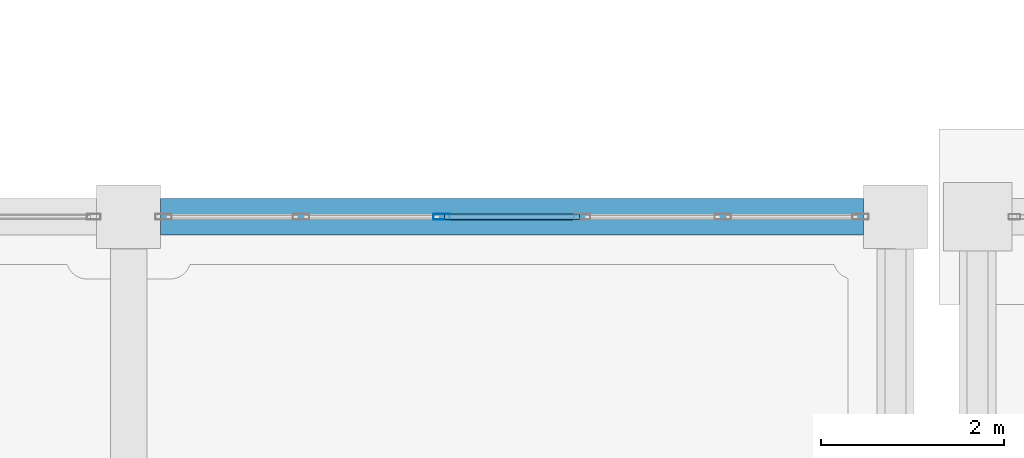
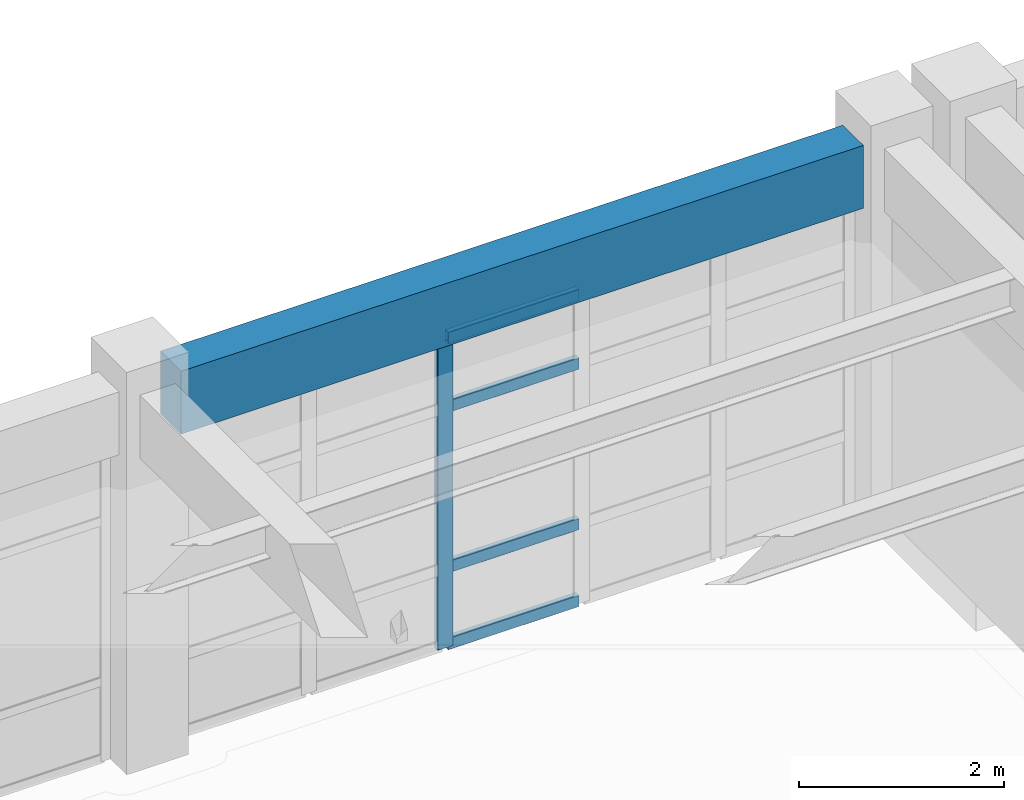
# One storey, part 21 of 111: 5 members, 1 beam, 1 element without a shape of its own.
"""IFC4 building model written with IfcOpenShell, lengths in metres."""

import ifcopenshell
import ifcopenshell.guid

model = None  # the IFC model being written
_history = None  # IfcOwnerHistory: only IFC2X3 demands one
_inside = {}  # id of a spatial element -> (the spatial element, [elements in it])
_under = {}  # id of a project, library or spatial element -> (it, [spatial elements below it])
_declared = {}  # id of a project -> (the project, [libraries it declares])
_typed = {}  # id of a type object -> (the type object, [elements of that type])
_made_of = {}  # id of a material, layer set ... -> (it, [elements and type objects made of it])


def new_model(schema):
    """Start an empty IFC model of exactly this schema.

    Asked for "IFC4X3", IfcOpenShell would pick the latest addendum, in which some entities
    have other attributes; the version numbers below select the first issue.
    IFC2X3 requires an IfcOwnerHistory on every rooted entity: one is made here for all.
    """
    global model, _history
    if schema == "IFC4X3":
        model = ifcopenshell.file(schema_version=(4, 3, 0, 0))
    else:
        model = ifcopenshell.file(schema=schema)
    _inside.clear()
    _under.clear()
    _declared.clear()
    _typed.clear()
    _made_of.clear()
    _history = None
    if model.schema == "IFC2X3":
        org = make("IfcOrganization", Name="unknown")
        user = make(
            "IfcPersonAndOrganization",
            ThePerson=make("IfcPerson", FamilyName="unknown"),
            TheOrganization=org,
        )
        app = make(
            "IfcApplication",
            ApplicationDeveloper=org,
            Version="unknown",
            ApplicationFullName="unknown",
            ApplicationIdentifier="unknown",
        )
        _history = make(
            "IfcOwnerHistory",
            OwningUser=user,
            OwningApplication=app,
            ChangeAction="ADDED",
            CreationDate=0,
        )
    return model


def make(cls, **values):
    """One entity of the class cls with the attributes given. An attribute that is None is left unset."""
    return model.create_entity(
        cls, **{name: value for name, value in values.items() if value is not None}
    )


def rooted(cls, **values):
    """An entity with a GlobalId (a new one), such as an element, a storey or a relation."""
    return make(cls, GlobalId=ifcopenshell.guid.new(), OwnerHistory=_history, **values)


def si_unit(unit_type, name, prefix=None):
    """IfcSIUnit, for example si_unit("LENGTHUNIT", "METRE", prefix="MILLI")."""
    return make("IfcSIUnit", UnitType=unit_type, Prefix=prefix, Name=name)


def assignment(units):
    """IfcUnitAssignment: the units of a project."""
    return None if units is None else make("IfcUnitAssignment", Units=units)


def point(xyz):
    """IfcCartesianPoint."""
    return None if xyz is None else make("IfcCartesianPoint", Coordinates=xyz)


def direction(xyz):
    """IfcDirection."""
    return None if xyz is None else make("IfcDirection", DirectionRatios=xyz)


def frame(location, z_axis=None, x_axis=None):
    """IfcAxis2Placement3D, a coordinate frame: its origin and axes. An axis left out is left unset."""
    return make(
        "IfcAxis2Placement3D",
        Location=point(location),
        Axis=direction(z_axis),
        RefDirection=direction(x_axis),
    )


def frame_2d(location, x_axis=None):
    """IfcAxis2Placement2D, a coordinate frame in the plane: its origin and x axis."""
    return make(
        "IfcAxis2Placement2D", Location=point(location), RefDirection=direction(x_axis)
    )


def origin():
    """The frame at (0, 0, 0) with its axes left unset."""
    return frame((0.0, 0.0, 0.0))


def origin_2d():
    """The frame at (0, 0) in the plane with its x axis left unset."""
    return frame_2d((0.0, 0.0))


def place(relative_to, where):
    """IfcLocalPlacement: puts the frame where relative to a parent placement (None: the world)."""
    return make(
        "IfcLocalPlacement", PlacementRelTo=relative_to, RelativePlacement=where
    )


def context(
    kind, dimensions, precision=None, world=None, true_north=None, identifier=None
):
    """IfcGeometricRepresentationContext, for example the 3D "Model" context."""
    return make(
        "IfcGeometricRepresentationContext",
        ContextIdentifier=identifier,
        ContextType=kind,
        CoordinateSpaceDimension=dimensions,
        Precision=precision,
        WorldCoordinateSystem=world,
        TrueNorth=true_north,
    )


def subcontext(parent, identifier, kind, view, scale=None):
    """IfcGeometricRepresentationSubContext, for example "Body" below "Model"."""
    return make(
        "IfcGeometricRepresentationSubContext",
        ContextIdentifier=identifier,
        ContextType=kind,
        ParentContext=parent,
        TargetScale=scale,
        TargetView=view,
    )


def project(units=None, contexts=None):
    """IfcProject with its units and contexts."""
    return rooted(
        "IfcProject",
        Name="project",
        RepresentationContexts=contexts,
        UnitsInContext=assignment(units),
    )


def spatial(cls, under=None, at=None, **own):
    """A site, building, storey or space (cls), placed at a placement, below another one or the project."""
    s = rooted(cls, ObjectPlacement=at, **own)
    if under is not None:
        _under.setdefault(under.id(), (under, []))[1].append(s)
    return s


def profile(cls, at=None, kind="AREA", **sizes):
    """A parametric profile (cls). Its sizes go by their IFC names, for example OverallWidth=200.0."""
    return make(cls, ProfileType=kind, Position=at, **sizes)


def rectangle(**sizes):
    """IfcRectangleProfileDef."""
    return profile("IfcRectangleProfileDef", **sizes)


def hollow_rectangle(**sizes):
    """IfcRectangleHollowProfileDef."""
    return profile("IfcRectangleHollowProfileDef", **sizes)


def extrude(swept, where, along, depth):
    """IfcExtrudedAreaSolid: the profile swept, set in the frame where, extruded along a direction by depth."""
    return make(
        "IfcExtrudedAreaSolid",
        SweptArea=swept,
        Position=where,
        ExtrudedDirection=direction(along),
        Depth=depth,
    )


def shape(context_of_items, identifier, shape_type, items):
    """IfcShapeRepresentation: the items that make up one representation, for example the "Body"."""
    return make(
        "IfcShapeRepresentation",
        ContextOfItems=context_of_items,
        RepresentationIdentifier=identifier,
        RepresentationType=shape_type,
        Items=items,
    )


def material(Name=None, Category=None):
    """IfcMaterial."""
    return make("IfcMaterial", Name=Name, Category=Category)


def material_profile(
    of_material, cross_section, Name=None, Category=None, Priority=None
):
    """IfcMaterialProfile: a cross section and its material."""
    return make(
        "IfcMaterialProfile",
        Name=Name,
        Material=of_material,
        Profile=cross_section,
        Priority=Priority,
        Category=Category,
    )


def profile_set(profiles, Name=None, composite=None):
    """IfcMaterialProfileSet."""
    return make(
        "IfcMaterialProfileSet",
        Name=Name,
        MaterialProfiles=profiles,
        CompositeProfile=composite,
    )


def made_of(thing, what):
    """Note that an element or type object is made of a material, layer set ...; save() writes the relation."""
    if what is not None:
        _made_of.setdefault(what.id(), (what, []))[1].append(thing)
    return thing


def type_object(cls, material=None, **own):
    """A type object (cls), such as IfcWallType, which elements share."""
    return made_of(rooted(cls, **own), material)


def element(
    cls,
    number,
    at=None,
    inside=None,
    cuts=None,
    type_object=None,
    material=None,
    context=None,
    identifier="Body",
    shape_type=None,
    held_by="IfcProductDefinitionShape",
    body=None,
    shapes=None,
    **own,
):
    """One element of the class cls, such as IfcWall. Its Tag is "e" and its number.

    at: its placement. inside: the storey or other place that contains it. cuts: it is an
    opening in that element (IfcRelVoidsElement). A single representation is given by context,
    identifier, shape_type and body (its items); several are given by shapes. held_by: the class
    of the entity that holds the representations. save() writes the other relations.
    """
    e = rooted(cls, Tag="e%d" % number, ObjectPlacement=at, **own)
    if body is not None:
        shapes = [shape(context, identifier, shape_type, body)]
    if shapes is not None:
        e.Representation = make(held_by, Representations=shapes)
    if inside is not None:
        _inside.setdefault(inside.id(), (inside, []))[1].append(e)
    if cuts is not None:
        rooted(
            "IfcRelVoidsElement", RelatingBuildingElement=cuts, RelatedOpeningElement=e
        )
    if type_object is not None:
        _typed.setdefault(type_object.id(), (type_object, []))[1].append(e)
    return made_of(e, material)


def aggregate(whole, parts):
    """IfcRelAggregates: a whole, such as a stair, and the parts it consists of."""
    return rooted("IfcRelAggregates", RelatingObject=whole, RelatedObjects=parts)


def save(model, path):
    """Write the relations noted so far, then the file.

    IfcRelAggregates (storeys below a building ...), IfcRelContainedInSpatialStructure (elements
    in a storey), IfcRelDefinesByType, IfcRelAssociatesMaterial and IfcRelDeclares: one each for
    every whole, place, type object, material and project.
    """
    for whole, parts in _under.values():
        aggregate(whole, parts)
    for where, things in _inside.values():
        rooted(
            "IfcRelContainedInSpatialStructure",
            RelatedElements=things,
            RelatingStructure=where,
        )
    for kind, things in _typed.values():
        rooted("IfcRelDefinesByType", RelatedObjects=things, RelatingType=kind)
    for what, things in _made_of.values():
        rooted("IfcRelAssociatesMaterial", RelatedObjects=things, RelatingMaterial=what)
    for by, libraries in _declared.values():
        rooted("IfcRelDeclares", RelatingContext=by, RelatedDefinitions=libraries)
    model.write(path)


model = new_model("IFC4")

# Units and contexts
model_context = context("Model", 3, precision=1e-05, world=origin(), true_north=direction((0.0, 1.0)))
body_context = subcontext(model_context, "Body", "Model", "MODEL_VIEW")
ifc_project = project(units=[si_unit("LENGTHUNIT", "METRE"), si_unit("AREAUNIT", "SQUARE_METRE"), si_unit("VOLUMEUNIT", "CUBIC_METRE"), si_unit("PLANEANGLEUNIT", "RADIAN"), si_unit("MASSUNIT", "GRAM", prefix="KILO")], contexts=[model_context])

# Site, building, storey
site_placement = place(None, origin())
site = spatial("IfcSite", under=ifc_project, at=site_placement, CompositionType="ELEMENT")
building_placement = place(site_placement, origin())
building = spatial("IfcBuilding", under=site, at=building_placement, Name="Canglan Escarpment Cableway Terminal", CompositionType="ELEMENT")
storey_placement = place(building_placement, frame((0.0, 0.0, 4.800048828125)))
storey = spatial("IfcBuildingStorey", under=building, at=storey_placement, Name="L01", CompositionType="ELEMENT", Elevation=4.800048828125)

# Curtain wall, members
ifc_material_1 = material(Name="Anodized bronze aluminium and Low-E double glazing", Category="aluminium")
curtain_wall_type = type_object("IfcCurtainWallType", Name="CW-BAY-7700x3725", PredefinedType="NOTDEFINED", material=ifc_material_1)
curtain_wall_placement = place(storey_placement, origin())
curtain_wall = element("IfcCurtainWall", 1, at=curtain_wall_placement, inside=storey, type_object=curtain_wall_type, Name="Classical bay-between-piers glazed curtain wall CW-06", PredefinedType="NOTDEFINED")
ifc_material_2 = material(Name="Thermally broken anodized aluminium 6063-T6", Category="aluminium")
ifc_material_profile_1 = material_profile(ifc_material_2, hollow_rectangle(XDim=0.06494140625, YDim=0.179931640625, WallThickness=0.00390625, InnerFilletRadius=0.00390625, OuterFilletRadius=0.008056640625, at=origin_2d()), Name="ALU-MULL 65x180x4")
ifc_profile_set_1 = profile_set([ifc_material_profile_1], Name="Thermally broken anodized aluminium 6063-T6")
member_type_1 = type_object("IfcMemberType", Name="CWM-03", PredefinedType="MULLION", material=ifc_profile_set_1)
member_1_placement = place(storey_placement, frame((71.1298828125, 24.800048828125, 0.0), z_axis=(0.0, 0.0, 1.0), x_axis=(0.0, -1.0, 0.0)))
member_1 = element("IfcMember", 2, at=member_1_placement, type_object=member_type_1, Name="CW-06 mullion 4", PredefinedType="MULLION", context=body_context, shape_type="SweptSolid", body=[
    extrude(hollow_rectangle(XDim=0.06494140625, YDim=0.179931640625, WallThickness=0.00390625, InnerFilletRadius=0.00390625, OuterFilletRadius=0.008056640625, at=origin_2d()), origin(), (0.0, 0.0, 1.0), 3.71484375),
])
ifc_material_profile_2 = material_profile(ifc_material_2, hollow_rectangle(XDim=0.06494140625, YDim=0.139892578125, WallThickness=0.00341796875, InnerFilletRadius=0.00341796875, OuterFilletRadius=0.007080078125, at=origin_2d()), Name="ALU-TRAN 65x140x3.5")
ifc_profile_set_2 = profile_set([ifc_material_profile_2], Name="Thermally broken anodized aluminium 6063-T6")
member_type_2 = type_object("IfcMemberType", Name="CWT-03", PredefinedType="USERDEFINED", material=ifc_profile_set_2)
member_2_placement = place(storey_placement, frame((72.637451171875, 24.800048828125, 0.032470703125), z_axis=(-1.0, 0.0, 0.0), x_axis=(0.0, -1.0, 0.0)))
member_2 = element("IfcMember", 3, at=member_2_placement, type_object=member_type_2, Name="CW-06 transom 3.1", ObjectType="TRANSOM", PredefinedType="USERDEFINED", context=body_context, shape_type="SweptSolid", body=[
    extrude(hollow_rectangle(XDim=0.06494140625, YDim=0.139892578125, WallThickness=0.00341796875, InnerFilletRadius=0.00341796875, OuterFilletRadius=0.007080078125, at=origin_2d()), origin(), (0.0, 0.0, 1.0), 1.474853515625),
])
member_3_placement = place(storey_placement, frame((72.637451171875, 24.800048828125, 0.949951171875), z_axis=(-1.0, 0.0, 0.0), x_axis=(0.0, -1.0, 0.0)))
member_3 = element("IfcMember", 4, at=member_3_placement, type_object=member_type_2, Name="CW-06 transom 3.2", ObjectType="TRANSOM", PredefinedType="USERDEFINED", context=body_context, shape_type="SweptSolid", body=[
    extrude(hollow_rectangle(XDim=0.06494140625, YDim=0.139892578125, WallThickness=0.00341796875, InnerFilletRadius=0.00341796875, OuterFilletRadius=0.007080078125, at=origin_2d()), origin(), (0.0, 0.0, 1.0), 1.474853515625),
])
member_4_placement = place(storey_placement, frame((72.637451171875, 24.800048828125, 2.864990234375), z_axis=(-1.0, 0.0, 0.0), x_axis=(0.0, -1.0, 0.0)))
member_4 = element("IfcMember", 5, at=member_4_placement, type_object=member_type_2, Name="CW-06 transom 3.3", ObjectType="TRANSOM", PredefinedType="USERDEFINED", context=body_context, shape_type="SweptSolid", body=[
    extrude(hollow_rectangle(XDim=0.06494140625, YDim=0.139892578125, WallThickness=0.00341796875, InnerFilletRadius=0.00341796875, OuterFilletRadius=0.007080078125, at=origin_2d()), origin(), (0.0, 0.0, 1.0), 1.474853515625),
])
member_5_placement = place(storey_placement, frame((72.637451171875, 24.800048828125, 3.682373046875), z_axis=(-1.0, 0.0, 0.0), x_axis=(0.0, -1.0, 0.0)))
member_5 = element("IfcMember", 6, at=member_5_placement, type_object=member_type_2, Name="CW-06 transom 3.4", ObjectType="TRANSOM", PredefinedType="USERDEFINED", context=body_context, shape_type="SweptSolid", body=[
    extrude(hollow_rectangle(XDim=0.06494140625, YDim=0.139892578125, WallThickness=0.00341796875, InnerFilletRadius=0.00341796875, OuterFilletRadius=0.007080078125, at=origin_2d()), origin(), (0.0, 0.0, 1.0), 1.474853515625),
])
aggregate(curtain_wall, [member_1, member_2, member_3, member_4, member_5])

# Beam
ifc_material_3 = material(Name="Concrete C40", Category="concrete")
ifc_material_profile_3 = material_profile(ifc_material_3, rectangle(XDim=0.39990234375, YDim=0.75, at=origin_2d()), Name="RC 400x750")
ifc_profile_set_3 = profile_set([ifc_material_profile_3], Name="Concrete C40")
beam_type = type_object("IfcBeamType", Name="SP-RC400x750", PredefinedType="SPANDREL", material=ifc_profile_set_3)
beam_placement = place(storey_placement, frame((68.050048828125, 24.800048828125, 4.10498046875), z_axis=(1.0, 0.0, 0.0), x_axis=(0.0, 1.0, 0.0)))
element("IfcBeam", 7, at=beam_placement, inside=storey, type_object=beam_type, Name="Primary structural girder SP-01", PredefinedType="SPANDREL", context=body_context, shape_type="SweptSolid", body=[
    extrude(rectangle(XDim=0.39990234375, YDim=0.75, at=origin_2d()), origin(), (0.0, 0.0, 1.0), 7.699951171875),
])

save(model, "model.ifc")
